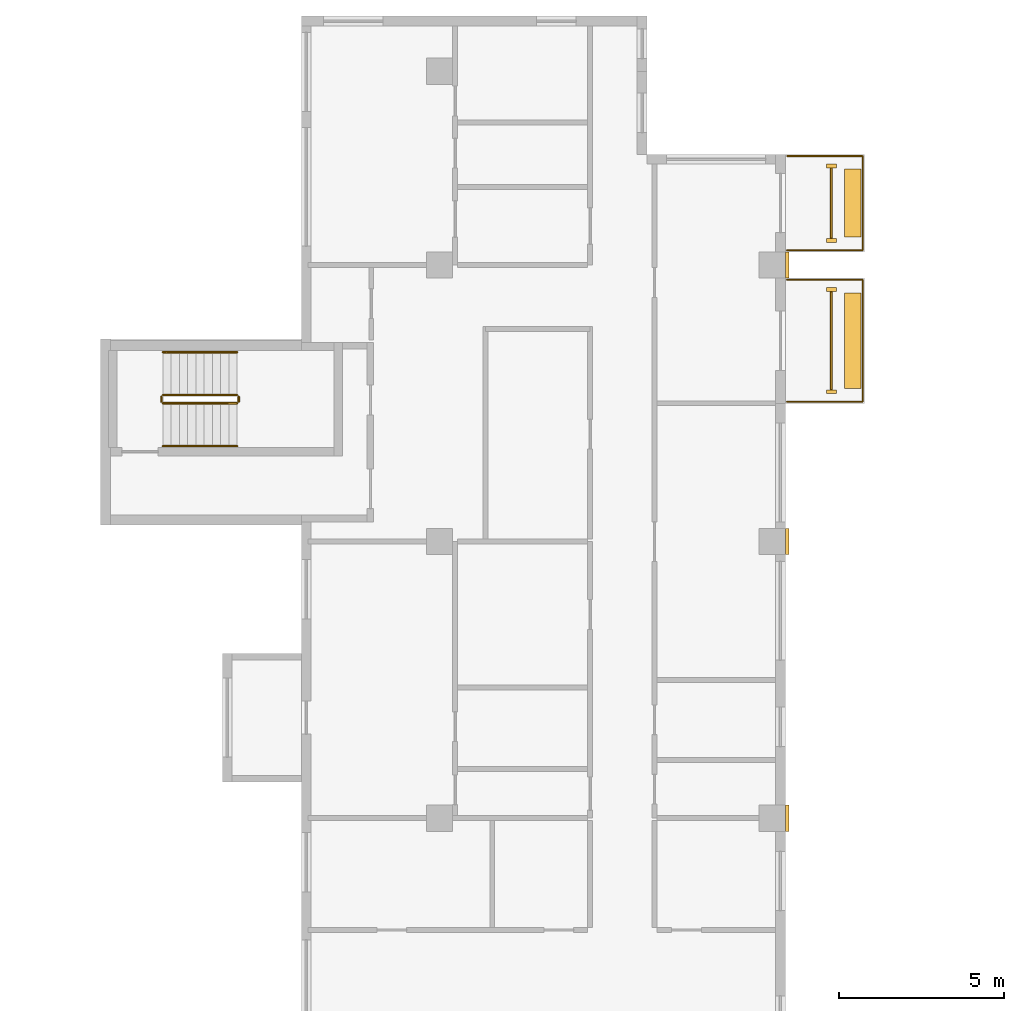
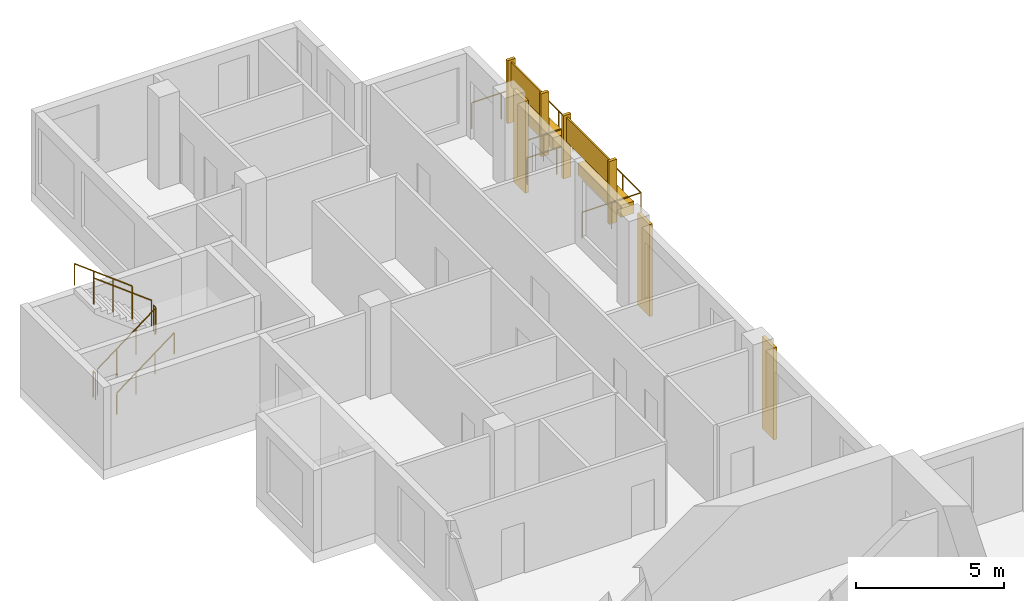
# One storey, part 12 of 12: 11 coverings, 8 railings.
"""IFC4 building model written with IfcOpenShell, lengths in metres."""

from ifc_helpers import new_model, si_unit, direction, frame, origin, origin_2d, place, context, subcontext, project, spatial, rectangle, circle, extrude, source, transform, mapped, material, type_object, element, save


model = new_model("IFC4")

# Units and contexts
model_context = context("Model", 3, precision=1e-05, world=origin(), true_north=direction((0.0, 1.0)))
body_context = subcontext(model_context, "Body", "Model", "MODEL_VIEW")
ifc_project = project(units=[si_unit("LENGTHUNIT", "METRE"), si_unit("AREAUNIT", "SQUARE_METRE"), si_unit("VOLUMEUNIT", "CUBIC_METRE"), si_unit("PLANEANGLEUNIT", "RADIAN"), si_unit("MASSUNIT", "GRAM", prefix="KILO")], contexts=[model_context])

# Site, building, storey
site_placement = place(None, origin())
site = spatial("IfcSite", under=ifc_project, at=site_placement, CompositionType="ELEMENT")
building_placement = place(site_placement, origin())
building = spatial("IfcBuilding", under=site, at=building_placement, Name="Aurelian Terraces", CompositionType="ELEMENT")
storey_placement = place(building_placement, frame((0.0, 0.0, 246.2)))
storey = spatial("IfcBuildingStorey", under=building, at=storey_placement, Name="L56", CompositionType="ELEMENT", Elevation=246.2)

# Coverings
ifc_material_1 = material(Name="Terracotta rainscreen cladding relief", Category="masonry")
covering_type_1 = type_object("IfcCoveringType", Name="FIN-TC", PredefinedType="CLADDING", material=ifc_material_1)
shared_shape_1 = source(origin(), body_context, "Body", "SweptSolid", [
    extrude(rectangle(XDim=0.3, YDim=0.12, at=origin_2d()), origin(), (0.0, 0.0, 1.0), 2.6),
])
for number, where, z_axis, x_axis, name in (
    (1, (22.4, 42.35, 0.0), (0.0, 0.0, 1.0), (1.0, 0.0, 0.0), "FIN L56 L56-F08-21.1"),
    (2, (22.4, 45.45, 0.0), (0.0, 0.0, 1.0), (1.0, 0.0, 0.0), "FIN L56 L56-F08-21.2"),
    (3, (22.4, 46.95, 0.0), (0.0, 0.0, 1.0), (1.0, 0.0, 0.0), "FIN L56 L56-F08-22.1"),
    (4, (22.4, 49.21, 0.0), (0.0, 0.0, 1.0), (1.0, 0.0, 0.0), "FIN L56 L56-F08-22.2"),
):
    element("IfcCovering", number, at=place(storey_placement, frame(where, z_axis=z_axis, x_axis=x_axis)), inside=storey, type_object=covering_type_1, Name=name, PredefinedType="CLADDING", context=body_context, shape_type="MappedRepresentation", body=[
        mapped(shared_shape_1, transform((0.0, 0.0, 0.0), scale=1.0)),
    ])
covering_type_2 = type_object("IfcCoveringType", Name="BAGUETTE-TC", PredefinedType="CLADDING", material=ifc_material_1)
shared_shape_2 = source(origin(), body_context, "Body", "SweptSolid", [
    extrude(rectangle(XDim=0.12, YDim=0.8, at=origin_2d()), origin(), (0.0, 0.0, 1.0), 3.8),
])
for number, where, z_axis, x_axis, name in (
    (5, (21.06, 29.4, -0.4), (0.0, 0.0, 1.0), (1.0, 0.0, 0.0), "BAGUETTE pier L56 6"),
    (6, (21.06, 37.8, -0.4), (0.0, 0.0, 1.0), (1.0, 0.0, 0.0), "BAGUETTE pier L56 7"),
    (7, (21.06, 46.2, -0.4), (0.0, 0.0, 1.0), (1.0, 0.0, 0.0), "BAGUETTE pier L56 8"),
):
    element("IfcCovering", number, at=place(storey_placement, frame(where, z_axis=z_axis, x_axis=x_axis)), inside=storey, type_object=covering_type_2, Name=name, PredefinedType="CLADDING", context=body_context, shape_type="MappedRepresentation", body=[
        mapped(shared_shape_2, transform((0.0, 0.0, 0.0), scale=1.0)),
    ])

# Railing
ifc_material_2 = material(Name="Anodised aluminium", Category="aluminium")
railing_type_1 = type_object("IfcRailingType", Name="GUARD-1100", PredefinedType="GUARDRAIL", material=ifc_material_2)
shared_shape_3 = source(origin(), body_context, "Body", "SweptSolid", [
    extrude(circle(Radius=0.024, at=origin_2d()), frame((0.0, 0.0, 1.076), z_axis=(1.0, 0.0, 0.0), x_axis=(0.0, 1.0, 0.0)), (0.0, 0.0, 1.0), 2.3),
    extrude(circle(Radius=0.024, at=origin_2d()), frame((2.3, 0.0, 1.076), z_axis=(0.0, 1.0, 0.0), x_axis=(-1.0, 0.0, 0.0)), (0.0, 0.0, 1.0), 2.86),
    extrude(circle(Radius=0.024, at=origin_2d()), frame((2.3, 2.86, 1.076), z_axis=(-1.0, 0.0, 0.0), x_axis=(0.0, -1.0, 0.0)), (0.0, 0.0, 1.0), 2.3),
    extrude(circle(Radius=0.021, at=origin_2d()), origin(), (0.0, 0.0, 1.0), 1.052),
    extrude(circle(Radius=0.021, at=origin_2d()), frame((1.15, 0.0, 0.0)), (0.0, 0.0, 1.0), 1.052),
    extrude(circle(Radius=0.021, at=origin_2d()), frame((2.3, 0.0, 0.0)), (0.0, 0.0, 1.0), 1.052),
    extrude(circle(Radius=0.021, at=origin_2d()), frame((2.3, 0.9533, 0.0)), (0.0, 0.0, 1.0), 1.052),
    extrude(circle(Radius=0.021, at=origin_2d()), frame((2.3, 1.9067, 0.0)), (0.0, 0.0, 1.0), 1.052),
    extrude(circle(Radius=0.021, at=origin_2d()), frame((2.3, 2.86, 0.0)), (0.0, 0.0, 1.0), 1.052),
    extrude(circle(Radius=0.021, at=origin_2d()), frame((1.15, 2.86, 0.0)), (0.0, 0.0, 1.0), 1.052),
    extrude(circle(Radius=0.021, at=origin_2d()), frame((0.0, 2.86, 0.0)), (0.0, 0.0, 1.0), 1.052),
])
railing_1_placement = place(storey_placement, frame((21.05, 46.65, 0.0)))
element("IfcRailing", 8, at=railing_1_placement, inside=storey, type_object=railing_type_1, Name="Balcony guard L56 F08.22", PredefinedType="GUARDRAIL", context=body_context, shape_type="MappedRepresentation", body=[
    mapped(shared_shape_3, transform((0.0, 0.0, 0.0), scale=1.0)),
])

# Coverings
ifc_material_3 = material(Name="Terracotta planter with planting soil", Category="masonry")
covering_type_3 = type_object("IfcCoveringType", Name="PLANTER-TROUGH", PredefinedType="USERDEFINED", material=ifc_material_3)
shared_shape_4 = source(origin(), body_context, "Body", "SweptSolid", [
    extrude(rectangle(XDim=0.5, YDim=2.06, at=origin_2d()), origin(), (0.0, 0.0, 1.0), 0.5),
])
covering_1_placement = place(storey_placement, frame((23.05, 48.08, 0.0), z_axis=(0.0, 0.0, 1.0), x_axis=(1.0, 0.0, 0.0)))
element("IfcCovering", 9, at=covering_1_placement, inside=storey, type_object=covering_type_3, Name="PLANTER L56 L56-F08-22", ObjectType="PLANTER", PredefinedType="USERDEFINED", context=body_context, shape_type="MappedRepresentation", body=[
    mapped(shared_shape_4, transform((0.0, 0.0, 0.0), scale=1.0)),
])
ifc_material_4 = material(Name="Terracotta rainscreen cladding", Category="masonry")
covering_type_4 = type_object("IfcCoveringType", Name="SCREEN-TC", PredefinedType="CLADDING", material=ifc_material_4)
shared_shape_5 = source(origin(), body_context, "Body", "SweptSolid", [
    extrude(rectangle(XDim=0.06, YDim=2.14, at=origin_2d()), origin(), (0.0, 0.0, 1.0), 1.0),
])
covering_2_placement = place(storey_placement, frame((22.4, 48.08, 1.5), z_axis=(0.0, 0.0, 1.0), x_axis=(1.0, 0.0, 0.0)))
element("IfcCovering", 10, at=covering_2_placement, inside=storey, type_object=covering_type_4, Name="SCREEN L56 L56-F08-22", PredefinedType="CLADDING", context=body_context, shape_type="MappedRepresentation", body=[
    mapped(shared_shape_5, transform((0.0, 0.0, 0.0), scale=1.0)),
])

# Railing
shared_shape_6 = source(origin(), body_context, "Body", "SweptSolid", [
    extrude(circle(Radius=0.024, at=origin_2d()), frame((0.0, 0.0, 1.076), z_axis=(1.0, 0.0, 0.0), x_axis=(0.0, 1.0, 0.0)), (0.0, 0.0, 1.0), 2.3),
    extrude(circle(Radius=0.024, at=origin_2d()), frame((2.3, 0.0, 1.076), z_axis=(0.0, 1.0, 0.0), x_axis=(-1.0, 0.0, 0.0)), (0.0, 0.0, 1.0), 3.7),
    extrude(circle(Radius=0.024, at=origin_2d()), frame((2.3, 3.7, 1.076), z_axis=(-1.0, 0.0, 0.0), x_axis=(0.0, -1.0, 0.0)), (0.0, 0.0, 1.0), 2.3),
    extrude(circle(Radius=0.021, at=origin_2d()), origin(), (0.0, 0.0, 1.0), 1.052),
    extrude(circle(Radius=0.021, at=origin_2d()), frame((1.15, 0.0, 0.0)), (0.0, 0.0, 1.0), 1.052),
    extrude(circle(Radius=0.021, at=origin_2d()), frame((2.3, 0.0, 0.0)), (0.0, 0.0, 1.0), 1.052),
    extrude(circle(Radius=0.021, at=origin_2d()), frame((2.3, 1.2333, 0.0)), (0.0, 0.0, 1.0), 1.052),
    extrude(circle(Radius=0.021, at=origin_2d()), frame((2.3, 2.4667, 0.0)), (0.0, 0.0, 1.0), 1.052),
    extrude(circle(Radius=0.021, at=origin_2d()), frame((2.3, 3.7, 0.0)), (0.0, 0.0, 1.0), 1.052),
    extrude(circle(Radius=0.021, at=origin_2d()), frame((1.15, 3.7, 0.0)), (0.0, 0.0, 1.0), 1.052),
    extrude(circle(Radius=0.021, at=origin_2d()), frame((0.0, 3.7, 0.0)), (0.0, 0.0, 1.0), 1.052),
])
railing_2_placement = place(storey_placement, frame((21.05, 42.05, 0.0)))
element("IfcRailing", 11, at=railing_2_placement, inside=storey, type_object=railing_type_1, Name="Balcony guard L56 F08.21", PredefinedType="GUARDRAIL", context=body_context, shape_type="MappedRepresentation", body=[
    mapped(shared_shape_6, transform((0.0, 0.0, 0.0), scale=1.0)),
])

# Coverings
shared_shape_7 = source(origin(), body_context, "Body", "SweptSolid", [
    extrude(rectangle(XDim=0.5, YDim=2.9, at=origin_2d()), origin(), (0.0, 0.0, 1.0), 0.5),
])
covering_3_placement = place(storey_placement, frame((23.05, 43.9, 0.0), z_axis=(0.0, 0.0, 1.0), x_axis=(1.0, 0.0, 0.0)))
element("IfcCovering", 12, at=covering_3_placement, inside=storey, type_object=covering_type_3, Name="PLANTER L56 L56-F08-21", ObjectType="PLANTER", PredefinedType="USERDEFINED", context=body_context, shape_type="MappedRepresentation", body=[
    mapped(shared_shape_7, transform((0.0, 0.0, 0.0), scale=1.0)),
])
shared_shape_8 = source(origin(), body_context, "Body", "SweptSolid", [
    extrude(rectangle(XDim=0.06, YDim=2.98, at=origin_2d()), origin(), (0.0, 0.0, 1.0), 1.0),
])
covering_4_placement = place(storey_placement, frame((22.4, 43.9, 1.5), z_axis=(0.0, 0.0, 1.0), x_axis=(1.0, 0.0, 0.0)))
element("IfcCovering", 13, at=covering_4_placement, inside=storey, type_object=covering_type_4, Name="SCREEN L56 L56-F08-21", PredefinedType="CLADDING", context=body_context, shape_type="MappedRepresentation", body=[
    mapped(shared_shape_8, transform((0.0, 0.0, 0.0), scale=1.0)),
])

# Railings
ifc_material_5 = material(Name="Stainless steel", Category="steel")
railing_type_2 = type_object("IfcRailingType", Name="Stair guard 1100", PredefinedType="GUARDRAIL", material=ifc_material_5)
shared_shape_9 = source(origin(), body_context, "Body", "SweptSolid", [
    extrude(circle(Radius=0.024, at=origin_2d()), frame((0.0, 0.0, 1.076), z_axis=(0.0, 1.0, 0.0), x_axis=(-1.0, 0.0, 0.0)), (0.0, 0.0, 1.0), 0.15),
    extrude(circle(Radius=0.021, at=origin_2d()), origin(), (0.0, 0.0, 1.0), 1.052),
    extrude(circle(Radius=0.021, at=origin_2d()), frame((0.0, 0.15, 0.0)), (0.0, 0.0, 1.0), 1.052),
])
for number, where, name in (
    (14, (4.4, 42.05, 1.9), "L56 S3 stair guard 2"),
    (15, (2.05, 42.05, 0.0), "L56 S3 stair guard 4"),
):
    element("IfcRailing", number, at=place(storey_placement, frame(where)), inside=storey, type_object=railing_type_2, Name=name, PredefinedType="GUARDRAIL", context=body_context, shape_type="MappedRepresentation", body=[
        mapped(shared_shape_9, transform((0.0, 0.0, 0.0), scale=1.0)),
    ])
shared_shape_10 = source(origin(), body_context, "Body", "SweptSolid", [
    extrude(circle(Radius=0.024, at=origin_2d()), frame((0.0, 0.0, 1.076), z_axis=(0.796162194123, 0.0, 0.605083267534), x_axis=(0.0, 1.0, 0.0)), (0.0, 0.0, 1.0), 2.8261),
    extrude(circle(Radius=0.021, at=origin_2d()), origin(), (0.0, 0.0, 1.0), 1.052),
    extrude(circle(Radius=0.021, at=origin_2d()), frame((0.75, 0.0, 0.57)), (0.0, 0.0, 1.0), 1.052),
    extrude(circle(Radius=0.021, at=origin_2d()), frame((1.5, 0.0, 1.14)), (0.0, 0.0, 1.0), 1.052),
    extrude(circle(Radius=0.021, at=origin_2d()), frame((2.25, 0.0, 1.71)), (0.0, 0.0, 1.0), 1.052),
])
railing_3_placement = place(storey_placement, frame((2.1, 42.0, 0.19)))
element("IfcRailing", 16, at=railing_3_placement, inside=storey, type_object=railing_type_2, Name="L56 S3 stair guard 1", PredefinedType="GUARDRAIL", context=body_context, shape_type="MappedRepresentation", body=[
    mapped(shared_shape_10, transform((0.0, 0.0, 0.0), scale=1.0)),
])
shared_shape_11 = source(origin(), body_context, "Body", "SweptSolid", [
    extrude(circle(Radius=0.024, at=origin_2d()), frame((0.0, 0.0, 1.076), z_axis=(-0.796162194123, 0.0, 0.605083267534), x_axis=(0.0, -1.0, 0.0)), (0.0, 0.0, 1.0), 2.8261),
    extrude(circle(Radius=0.021, at=origin_2d()), origin(), (0.0, 0.0, 1.0), 1.052),
    extrude(circle(Radius=0.021, at=origin_2d()), frame((-0.75, 0.0, 0.57)), (0.0, 0.0, 1.0), 1.052),
    extrude(circle(Radius=0.021, at=origin_2d()), frame((-1.5, 0.0, 1.14)), (0.0, 0.0, 1.0), 1.052),
    extrude(circle(Radius=0.021, at=origin_2d()), frame((-2.25, 0.0, 1.71)), (0.0, 0.0, 1.0), 1.052),
])
railing_4_placement = place(storey_placement, frame((4.35, 42.25, 2.09)))
element("IfcRailing", 17, at=railing_4_placement, inside=storey, type_object=railing_type_2, Name="L56 S3 stair guard 3", PredefinedType="GUARDRAIL", context=body_context, shape_type="MappedRepresentation", body=[
    mapped(shared_shape_11, transform((0.0, 0.0, 0.0), scale=1.0)),
])
railing_type_3 = type_object("IfcRailingType", Name="Stair handrail", PredefinedType="HANDRAIL", material=ifc_material_5)
shared_shape_12 = source(origin(), body_context, "Body", "SweptSolid", [
    extrude(circle(Radius=0.024, at=origin_2d()), frame((0.0, 0.0, 0.876), z_axis=(0.796162194123, 0.0, 0.605083267534), x_axis=(0.0, 1.0, 0.0)), (0.0, 0.0, 1.0), 2.8261),
    extrude(circle(Radius=0.021, at=origin_2d()), origin(), (0.0, 0.0, 1.0), 0.852),
    extrude(circle(Radius=0.021, at=origin_2d()), frame((0.75, 0.0, 0.57)), (0.0, 0.0, 1.0), 0.852),
    extrude(circle(Radius=0.021, at=origin_2d()), frame((1.5, 0.0, 1.14)), (0.0, 0.0, 1.0), 0.852),
    extrude(circle(Radius=0.021, at=origin_2d()), frame((2.25, 0.0, 1.71)), (0.0, 0.0, 1.0), 0.852),
])
railing_5_placement = place(storey_placement, frame((2.1, 40.7, 0.19)))
element("IfcRailing", 18, at=railing_5_placement, inside=storey, type_object=railing_type_3, Name="L56 S3 stair handrail 1", PredefinedType="HANDRAIL", context=body_context, shape_type="MappedRepresentation", body=[
    mapped(shared_shape_12, transform((0.0, 0.0, 0.0), scale=1.0)),
])
shared_shape_13 = source(origin(), body_context, "Body", "SweptSolid", [
    extrude(circle(Radius=0.024, at=origin_2d()), frame((0.0, 0.0, 0.876), z_axis=(-0.796162194123, 0.0, 0.605083267534), x_axis=(0.0, -1.0, 0.0)), (0.0, 0.0, 1.0), 2.8261),
    extrude(circle(Radius=0.021, at=origin_2d()), origin(), (0.0, 0.0, 1.0), 0.852),
    extrude(circle(Radius=0.021, at=origin_2d()), frame((-0.75, 0.0, 0.57)), (0.0, 0.0, 1.0), 0.852),
    extrude(circle(Radius=0.021, at=origin_2d()), frame((-1.5, 0.0, 1.14)), (0.0, 0.0, 1.0), 0.852),
    extrude(circle(Radius=0.021, at=origin_2d()), frame((-2.25, 0.0, 1.71)), (0.0, 0.0, 1.0), 0.852),
])
railing_6_placement = place(storey_placement, frame((4.35, 43.55, 2.09)))
element("IfcRailing", 19, at=railing_6_placement, inside=storey, type_object=railing_type_3, Name="L56 S3 stair handrail 2", PredefinedType="HANDRAIL", context=body_context, shape_type="MappedRepresentation", body=[
    mapped(shared_shape_13, transform((0.0, 0.0, 0.0), scale=1.0)),
])

save(model, "model.ifc")
